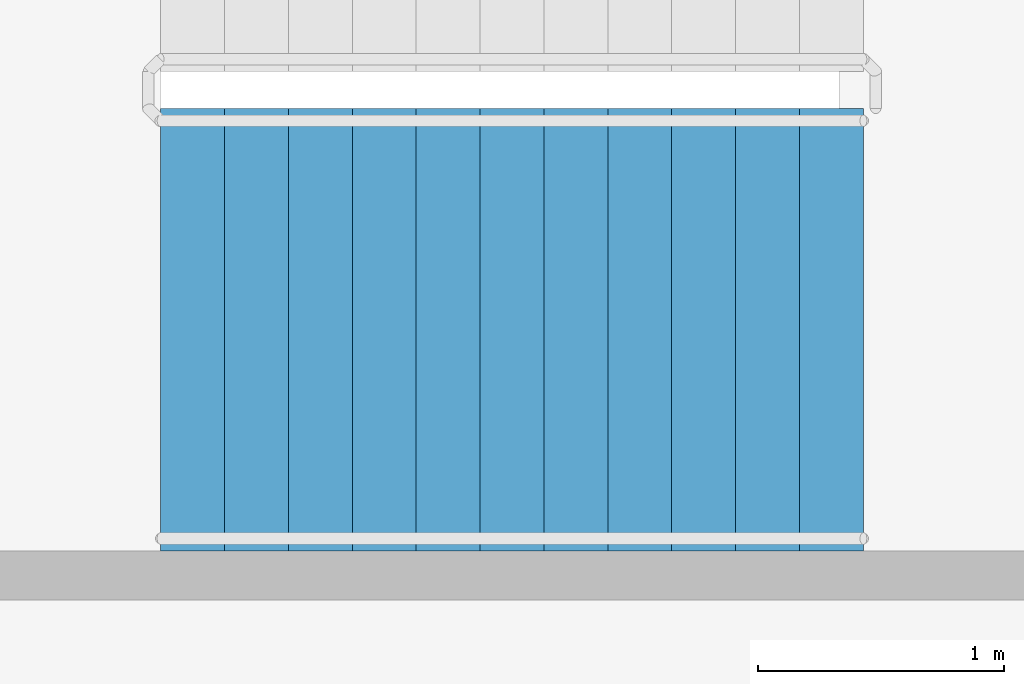
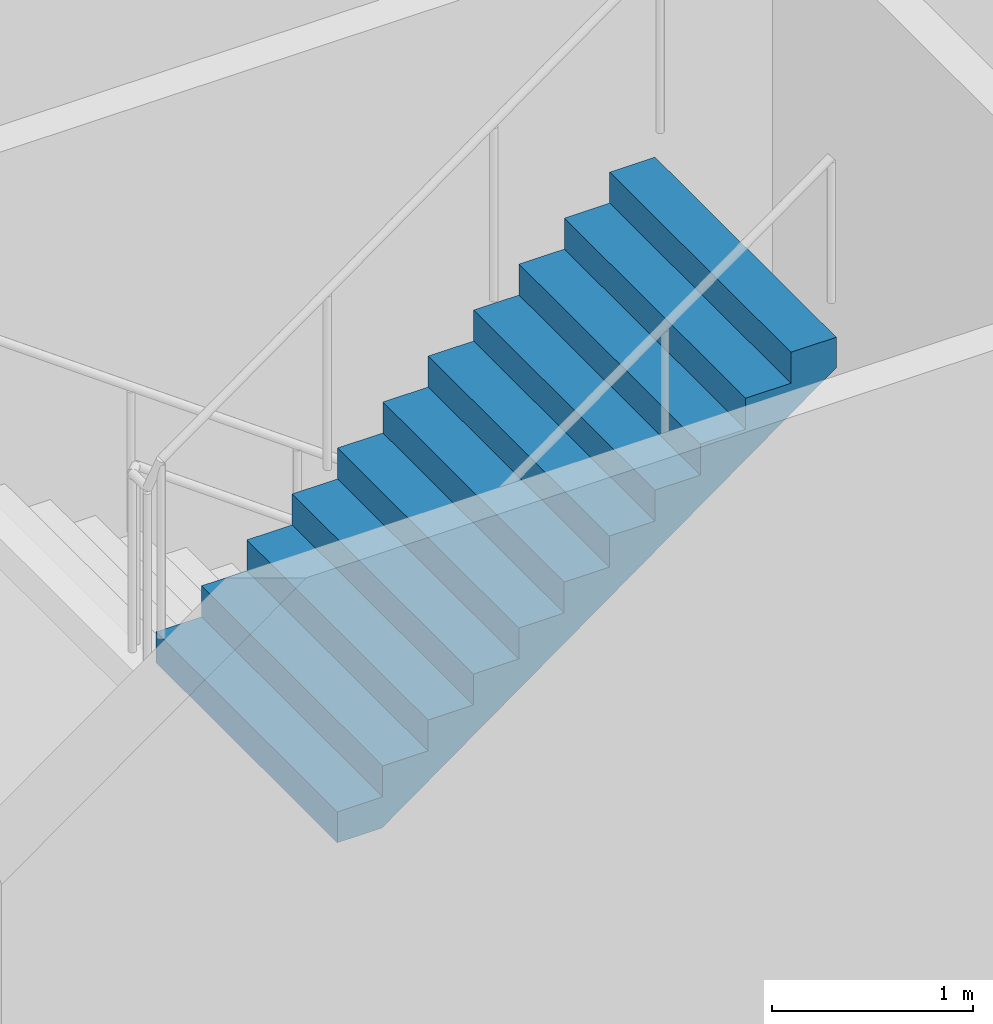
# One storey, part 38 of 49: 1 stair flight, 1 element without a shape of its own.
"""IFC4 building model written with IfcOpenShell, lengths in metres."""

from ifc_helpers import new_model, si_unit, direction, frame, origin, place, context, subcontext, project, spatial, faceted_brep, material, type_object, element, aggregate, save


model = new_model("IFC4")

# Units and contexts
model_context = context("Model", 3, precision=1e-05, world=origin(), true_north=direction((0.0, 1.0)))
body_context = subcontext(model_context, "Body", "Model", "MODEL_VIEW")
ifc_project = project(units=[si_unit("LENGTHUNIT", "METRE"), si_unit("AREAUNIT", "SQUARE_METRE"), si_unit("VOLUMEUNIT", "CUBIC_METRE"), si_unit("PLANEANGLEUNIT", "RADIAN"), si_unit("MASSUNIT", "GRAM", prefix="KILO")], contexts=[model_context])

# Site, building, storey
site_placement = place(None, origin())
site = spatial("IfcSite", under=ifc_project, at=site_placement, CompositionType="ELEMENT")
building_placement = place(site_placement, origin())
building = spatial("IfcBuilding", under=site, at=building_placement, Name="Ipe Terrace Towers", CompositionType="ELEMENT")
storey_placement = place(building_placement, frame((0.0, 0.0, 11.0)))
storey = spatial("IfcBuildingStorey", under=building, at=storey_placement, Name="L02", CompositionType="ELEMENT", Elevation=11.0)

# Stair, stair flight
ifc_material_1 = material(Name="Concrete C30/37", Category="concrete")
stair_type = type_object("IfcStairType", Name="Protected exit stair", PredefinedType="HALF_TURN_STAIR", material=ifc_material_1)
stair_placement = place(storey_placement, origin())
stair = element("IfcStair", 1, at=stair_placement, inside=storey, type_object=stair_type, Name="L02 Podium exit stair PS2", PredefinedType="HALF_TURN_STAIR")
ifc_material_2 = material(Name="Concrete C30/37", Category="concrete")
stair_flight_type = type_object("IfcStairFlightType", Name="Exit stair flight 1800", PredefinedType="STRAIGHT", material=ifc_material_2)
stair_flight_placement = place(storey_placement, frame((-3.610107421875, 23.550048828125, 2.25), z_axis=(0.0, 0.0, 1.0), x_axis=(1.0, 0.0, 0.0)))
stair_flight = element("IfcStairFlight", 2, at=stair_flight_placement, type_object=stair_flight_type, Name="PS2 flight 2", NumberOfRisers=12, NumberOfTreads=11, PredefinedType="STRAIGHT", RiserHeight=0.1875, TreadLength=0.26, context=body_context, shape_type="Brep", body=[
    faceted_brep([(0.25634765625, -0.89990234375, 0.0), (2.860107421875, -0.89990234375, 1.877685546875), (2.860107421875, -0.89990234375, 2.0625), (2.60009765625, -0.89990234375, 2.0625), (2.60009765625, -0.89990234375, 1.875), (2.340087890625, -0.89990234375, 1.875), (2.340087890625, -0.89990234375, 1.6875), (2.080078125, -0.89990234375, 1.6875), (2.080078125, -0.89990234375, 1.5), (1.820068359375, -0.89990234375, 1.5), (1.820068359375, -0.89990234375, 1.3125), (1.56005859375, -0.89990234375, 1.3125), (1.56005859375, -0.89990234375, 1.125), (1.300048828125, -0.89990234375, 1.125), (1.300048828125, -0.89990234375, 0.9375), (1.0400390625, -0.89990234375, 0.9375), (1.0400390625, -0.89990234375, 0.75), (0.780029296875, -0.89990234375, 0.75), (0.780029296875, -0.89990234375, 0.5625), (0.52001953125, -0.89990234375, 0.5625), (0.52001953125, -0.89990234375, 0.375), (0.260009765625, -0.89990234375, 0.375), (0.260009765625, -0.89990234375, 0.1875), (0.0, -0.89990234375, 0.1875), (0.0, -0.89990234375, 0.0), (0.0, 0.89990234375, 0.0), (0.0, 0.89990234375, 0.1875), (0.260009765625, 0.89990234375, 0.1875), (0.260009765625, 0.89990234375, 0.375), (0.52001953125, 0.89990234375, 0.375), (0.52001953125, 0.89990234375, 0.5625), (0.780029296875, 0.89990234375, 0.5625), (0.780029296875, 0.89990234375, 0.75), (1.0400390625, 0.89990234375, 0.75), (1.0400390625, 0.89990234375, 0.9375), (1.300048828125, 0.89990234375, 0.9375), (1.300048828125, 0.89990234375, 1.125), (1.56005859375, 0.89990234375, 1.125), (1.56005859375, 0.89990234375, 1.3125), (1.820068359375, 0.89990234375, 1.3125), (1.820068359375, 0.89990234375, 1.5), (2.080078125, 0.89990234375, 1.5), (2.080078125, 0.89990234375, 1.6875), (2.340087890625, 0.89990234375, 1.6875), (2.340087890625, 0.89990234375, 1.875), (2.60009765625, 0.89990234375, 1.875), (2.60009765625, 0.89990234375, 2.0625), (2.860107421875, 0.89990234375, 2.0625), (2.860107421875, 0.89990234375, 1.877685546875), (0.25634765625, 0.89990234375, 0.0), (0.0, -0.300048828125, 0.1875), (0.0, -0.1201171875, 0.1875), (0.0, -0.06005859375, 0.1875), (0.0, -0.030029296875, 0.1875), (0.0, -0.010009765625, 0.1875), (0.0, 0.0, 0.1875), (0.0, 0.010009765625, 0.1875), (0.0, 0.030029296875, 0.1875), (0.0, 0.06005859375, 0.1875), (0.0, 0.1201171875, 0.1875), (0.0, 0.300048828125, 0.1875), (0.0, 0.300048828125, 0.0), (0.0, 0.1201171875, 0.0), (0.0, 0.06005859375, 0.0), (0.0, 0.030029296875, 0.0), (0.0, 0.010009765625, 0.0), (0.0, 0.0, 0.0), (0.0, -0.010009765625, 0.0), (0.0, -0.030029296875, 0.0), (0.0, -0.06005859375, 0.0), (0.0, -0.1201171875, 0.0), (0.0, -0.300048828125, 0.0), (0.260009765625, -0.300048828125, 0.1875), (0.260009765625, -0.1201171875, 0.1875), (0.260009765625, -0.06005859375, 0.1875), (0.260009765625, -0.030029296875, 0.1875), (0.260009765625, -0.010009765625, 0.1875), (0.260009765625, 0.0, 0.1875), (0.260009765625, 0.010009765625, 0.1875), (0.260009765625, 0.030029296875, 0.1875), (0.260009765625, 0.06005859375, 0.1875), (0.260009765625, 0.1201171875, 0.1875), (0.260009765625, 0.300048828125, 0.1875), (0.260009765625, -0.300048828125, 0.375), (0.260009765625, -0.1201171875, 0.375), (0.260009765625, -0.06005859375, 0.375), (0.260009765625, -0.030029296875, 0.375), (0.260009765625, -0.010009765625, 0.375), (0.260009765625, 0.0, 0.375), (0.260009765625, 0.010009765625, 0.375), (0.260009765625, 0.030029296875, 0.375), (0.260009765625, 0.06005859375, 0.375), (0.260009765625, 0.1201171875, 0.375), (0.260009765625, 0.300048828125, 0.375), (0.52001953125, -0.300048828125, 0.375), (0.52001953125, -0.1201171875, 0.375), (0.52001953125, -0.06005859375, 0.375), (0.52001953125, -0.030029296875, 0.375), (0.52001953125, -0.010009765625, 0.375), (0.52001953125, 0.0, 0.375), (0.52001953125, 0.010009765625, 0.375), (0.52001953125, 0.030029296875, 0.375), (0.52001953125, 0.06005859375, 0.375), (0.52001953125, 0.1201171875, 0.375), (0.52001953125, 0.300048828125, 0.375), (0.52001953125, -0.300048828125, 0.5625), (0.52001953125, -0.1201171875, 0.5625), (0.52001953125, -0.06005859375, 0.5625), (0.52001953125, -0.030029296875, 0.5625), (0.52001953125, -0.010009765625, 0.5625), (0.52001953125, 0.0, 0.5625), (0.52001953125, 0.010009765625, 0.5625), (0.52001953125, 0.030029296875, 0.5625), (0.52001953125, 0.06005859375, 0.5625), (0.52001953125, 0.1201171875, 0.5625), (0.52001953125, 0.300048828125, 0.5625), (0.780029296875, -0.300048828125, 0.5625), (0.780029296875, -0.1201171875, 0.5625), (0.780029296875, -0.06005859375, 0.5625), (0.780029296875, -0.030029296875, 0.5625), (0.780029296875, -0.010009765625, 0.5625), (0.780029296875, 0.0, 0.5625), (0.780029296875, 0.010009765625, 0.5625), (0.780029296875, 0.030029296875, 0.5625), (0.780029296875, 0.06005859375, 0.5625), (0.780029296875, 0.1201171875, 0.5625), (0.780029296875, 0.300048828125, 0.5625), (0.780029296875, -0.300048828125, 0.75), (0.780029296875, -0.1201171875, 0.75), (0.780029296875, -0.06005859375, 0.75), (0.780029296875, -0.030029296875, 0.75), (0.780029296875, -0.010009765625, 0.75), (0.780029296875, 0.0, 0.75), (0.780029296875, 0.010009765625, 0.75), (0.780029296875, 0.030029296875, 0.75), (0.780029296875, 0.06005859375, 0.75), (0.780029296875, 0.1201171875, 0.75), (0.780029296875, 0.300048828125, 0.75), (1.0400390625, -0.300048828125, 0.75), (1.0400390625, -0.1201171875, 0.75), (1.0400390625, -0.06005859375, 0.75), (1.0400390625, -0.030029296875, 0.75), (1.0400390625, -0.010009765625, 0.75), (1.0400390625, 0.0, 0.75), (1.0400390625, 0.010009765625, 0.75), (1.0400390625, 0.030029296875, 0.75), (1.0400390625, 0.06005859375, 0.75), (1.0400390625, 0.1201171875, 0.75), (1.0400390625, 0.300048828125, 0.75), (1.0400390625, -0.300048828125, 0.9375), (1.0400390625, -0.1201171875, 0.9375), (1.0400390625, -0.06005859375, 0.9375), (1.0400390625, -0.030029296875, 0.9375), (1.0400390625, -0.010009765625, 0.9375), (1.0400390625, 0.0, 0.9375), (1.0400390625, 0.010009765625, 0.9375), (1.0400390625, 0.030029296875, 0.9375), (1.0400390625, 0.06005859375, 0.9375), (1.0400390625, 0.1201171875, 0.9375), (1.0400390625, 0.300048828125, 0.9375), (1.300048828125, -0.300048828125, 0.9375), (1.300048828125, -0.1201171875, 0.9375), (1.300048828125, -0.06005859375, 0.9375), (1.300048828125, -0.030029296875, 0.9375), (1.300048828125, -0.010009765625, 0.9375), (1.300048828125, 0.0, 0.9375), (1.300048828125, 0.010009765625, 0.9375), (1.300048828125, 0.030029296875, 0.9375), (1.300048828125, 0.06005859375, 0.9375), (1.300048828125, 0.1201171875, 0.9375), (1.300048828125, 0.300048828125, 0.9375), (1.300048828125, -0.300048828125, 1.125), (1.300048828125, -0.1201171875, 1.125), (1.300048828125, -0.06005859375, 1.125), (1.300048828125, -0.030029296875, 1.125), (1.300048828125, -0.010009765625, 1.125), (1.300048828125, 0.0, 1.125), (1.300048828125, 0.010009765625, 1.125), (1.300048828125, 0.030029296875, 1.125), (1.300048828125, 0.06005859375, 1.125), (1.300048828125, 0.1201171875, 1.125), (1.300048828125, 0.300048828125, 1.125), (1.56005859375, -0.300048828125, 1.125), (1.56005859375, -0.1201171875, 1.125), (1.56005859375, -0.06005859375, 1.125), (1.56005859375, -0.030029296875, 1.125), (1.56005859375, -0.010009765625, 1.125), (1.56005859375, 0.0, 1.125), (1.56005859375, 0.010009765625, 1.125), (1.56005859375, 0.030029296875, 1.125), (1.56005859375, 0.06005859375, 1.125), (1.56005859375, 0.1201171875, 1.125), (1.56005859375, 0.300048828125, 1.125), (1.56005859375, -0.300048828125, 1.3125), (1.56005859375, -0.1201171875, 1.3125), (1.56005859375, -0.06005859375, 1.3125), (1.56005859375, -0.030029296875, 1.3125), (1.56005859375, -0.010009765625, 1.3125), (1.56005859375, 0.0, 1.3125), (1.56005859375, 0.010009765625, 1.3125), (1.56005859375, 0.030029296875, 1.3125), (1.56005859375, 0.06005859375, 1.3125), (1.56005859375, 0.1201171875, 1.3125), (1.56005859375, 0.300048828125, 1.3125), (1.820068359375, -0.300048828125, 1.3125), (1.820068359375, -0.1201171875, 1.3125), (1.820068359375, -0.06005859375, 1.3125), (1.820068359375, -0.030029296875, 1.3125), (1.820068359375, -0.010009765625, 1.3125), (1.820068359375, 0.0, 1.3125), (1.820068359375, 0.010009765625, 1.3125), (1.820068359375, 0.030029296875, 1.3125), (1.820068359375, 0.06005859375, 1.3125), (1.820068359375, 0.1201171875, 1.3125), (1.820068359375, 0.300048828125, 1.3125), (1.820068359375, -0.300048828125, 1.5), (1.820068359375, -0.1201171875, 1.5), (1.820068359375, -0.06005859375, 1.5), (1.820068359375, -0.030029296875, 1.5), (1.820068359375, -0.010009765625, 1.5), (1.820068359375, 0.0, 1.5), (1.820068359375, 0.010009765625, 1.5), (1.820068359375, 0.030029296875, 1.5), (1.820068359375, 0.06005859375, 1.5), (1.820068359375, 0.1201171875, 1.5), (1.820068359375, 0.300048828125, 1.5), (2.080078125, -0.300048828125, 1.5), (2.080078125, -0.1201171875, 1.5), (2.080078125, -0.06005859375, 1.5), (2.080078125, -0.030029296875, 1.5), (2.080078125, -0.010009765625, 1.5), (2.080078125, 0.0, 1.5), (2.080078125, 0.010009765625, 1.5), (2.080078125, 0.030029296875, 1.5), (2.080078125, 0.06005859375, 1.5), (2.080078125, 0.1201171875, 1.5), (2.080078125, 0.300048828125, 1.5), (2.080078125, -0.300048828125, 1.6875), (2.080078125, -0.1201171875, 1.6875), (2.080078125, -0.06005859375, 1.6875), (2.080078125, -0.030029296875, 1.6875), (2.080078125, -0.010009765625, 1.6875), (2.080078125, 0.0, 1.6875), (2.080078125, 0.010009765625, 1.6875), (2.080078125, 0.030029296875, 1.6875), (2.080078125, 0.06005859375, 1.6875), (2.080078125, 0.1201171875, 1.6875), (2.080078125, 0.300048828125, 1.6875), (2.340087890625, -0.300048828125, 1.6875), (2.340087890625, -0.1201171875, 1.6875), (2.340087890625, -0.06005859375, 1.6875), (2.340087890625, -0.030029296875, 1.6875), (2.340087890625, -0.010009765625, 1.6875), (2.340087890625, 0.0, 1.6875), (2.340087890625, 0.010009765625, 1.6875), (2.340087890625, 0.030029296875, 1.6875), (2.340087890625, 0.06005859375, 1.6875), (2.340087890625, 0.1201171875, 1.6875), (2.340087890625, 0.300048828125, 1.6875), (2.340087890625, -0.300048828125, 1.875), (2.340087890625, -0.1201171875, 1.875), (2.340087890625, -0.06005859375, 1.875), (2.340087890625, -0.030029296875, 1.875), (2.340087890625, -0.010009765625, 1.875), (2.340087890625, 0.0, 1.875), (2.340087890625, 0.010009765625, 1.875), (2.340087890625, 0.030029296875, 1.875), (2.340087890625, 0.06005859375, 1.875), (2.340087890625, 0.1201171875, 1.875), (2.340087890625, 0.300048828125, 1.875), (2.60009765625, -0.300048828125, 1.875), (2.60009765625, -0.1201171875, 1.875), (2.60009765625, -0.06005859375, 1.875), (2.60009765625, -0.030029296875, 1.875), (2.60009765625, -0.010009765625, 1.875), (2.60009765625, 0.0, 1.875), (2.60009765625, 0.010009765625, 1.875), (2.60009765625, 0.030029296875, 1.875), (2.60009765625, 0.06005859375, 1.875), (2.60009765625, 0.1201171875, 1.875), (2.60009765625, 0.300048828125, 1.875), (2.60009765625, -0.300048828125, 2.0625), (2.60009765625, -0.1201171875, 2.0625), (2.60009765625, -0.06005859375, 2.0625), (2.60009765625, -0.030029296875, 2.0625), (2.60009765625, -0.010009765625, 2.0625), (2.60009765625, 0.0, 2.0625), (2.60009765625, 0.010009765625, 2.0625), (2.60009765625, 0.030029296875, 2.0625), (2.60009765625, 0.06005859375, 2.0625), (2.60009765625, 0.1201171875, 2.0625), (2.60009765625, 0.300048828125, 2.0625), (2.860107421875, -0.300048828125, 2.0625), (2.860107421875, -0.1201171875, 2.0625), (2.860107421875, -0.06005859375, 2.0625), (2.860107421875, -0.030029296875, 2.0625), (2.860107421875, -0.010009765625, 2.0625), (2.860107421875, 0.0, 2.0625), (2.860107421875, 0.010009765625, 2.0625), (2.860107421875, 0.030029296875, 2.0625), (2.860107421875, 0.06005859375, 2.0625), (2.860107421875, 0.1201171875, 2.0625), (2.860107421875, 0.300048828125, 2.0625), (2.860107421875, -0.300048828125, 1.877685546875), (2.860107421875, -0.1201171875, 1.877685546875), (2.860107421875, -0.06005859375, 1.877685546875), (2.860107421875, -0.030029296875, 1.877685546875), (2.860107421875, -0.010009765625, 1.877685546875), (2.860107421875, 0.0, 1.877685546875), (2.860107421875, 0.010009765625, 1.877685546875), (2.860107421875, 0.030029296875, 1.877685546875), (2.860107421875, 0.06005859375, 1.877685546875), (2.860107421875, 0.1201171875, 1.877685546875), (2.860107421875, 0.300048828125, 1.877685546875), (0.25634765625, -0.300048828125, 0.0), (0.25634765625, -0.1201171875, 0.0), (0.25634765625, -0.06005859375, 0.0), (0.25634765625, -0.030029296875, 0.0), (0.25634765625, -0.010009765625, 0.0), (0.25634765625, 0.0, 0.0), (0.25634765625, 0.010009765625, 0.0), (0.25634765625, 0.030029296875, 0.0), (0.25634765625, 0.06005859375, 0.0), (0.25634765625, 0.1201171875, 0.0), (0.25634765625, 0.300048828125, 0.0)], [[[0, 1, 2, 3, 4, 5, 6, 7, 8, 9, 10, 11, 12, 13, 14, 15, 16, 17, 18, 19, 20, 21, 22, 23, 24]], [[25, 26, 27, 28, 29, 30, 31, 32, 33, 34, 35, 36, 37, 38, 39, 40, 41, 42, 43, 44, 45, 46, 47, 48, 49]], [[23, 50, 51, 52, 53, 54, 55, 56, 57, 58, 59, 60, 26, 25, 61, 62, 63, 64, 65, 66, 67, 68, 69, 70, 71, 24]], [[22, 72, 73, 74, 75, 76, 77, 78, 79, 80, 81, 82, 27, 26, 60, 59, 58, 57, 56, 55, 54, 53, 52, 51, 50, 23]], [[21, 83, 84, 85, 86, 87, 88, 89, 90, 91, 92, 93, 28, 27, 82, 81, 80, 79, 78, 77, 76, 75, 74, 73, 72, 22]], [[20, 94, 95, 96, 97, 98, 99, 100, 101, 102, 103, 104, 29, 28, 93, 92, 91, 90, 89, 88, 87, 86, 85, 84, 83, 21]], [[19, 105, 106, 107, 108, 109, 110, 111, 112, 113, 114, 115, 30, 29, 104, 103, 102, 101, 100, 99, 98, 97, 96, 95, 94, 20]], [[18, 116, 117, 118, 119, 120, 121, 122, 123, 124, 125, 126, 31, 30, 115, 114, 113, 112, 111, 110, 109, 108, 107, 106, 105, 19]], [[17, 127, 128, 129, 130, 131, 132, 133, 134, 135, 136, 137, 32, 31, 126, 125, 124, 123, 122, 121, 120, 119, 118, 117, 116, 18]], [[16, 138, 139, 140, 141, 142, 143, 144, 145, 146, 147, 148, 33, 32, 137, 136, 135, 134, 133, 132, 131, 130, 129, 128, 127, 17]], [[15, 149, 150, 151, 152, 153, 154, 155, 156, 157, 158, 159, 34, 33, 148, 147, 146, 145, 144, 143, 142, 141, 140, 139, 138, 16]], [[14, 160, 161, 162, 163, 164, 165, 166, 167, 168, 169, 170, 35, 34, 159, 158, 157, 156, 155, 154, 153, 152, 151, 150, 149, 15]], [[13, 171, 172, 173, 174, 175, 176, 177, 178, 179, 180, 181, 36, 35, 170, 169, 168, 167, 166, 165, 164, 163, 162, 161, 160, 14]], [[12, 182, 183, 184, 185, 186, 187, 188, 189, 190, 191, 192, 37, 36, 181, 180, 179, 178, 177, 176, 175, 174, 173, 172, 171, 13]], [[11, 193, 194, 195, 196, 197, 198, 199, 200, 201, 202, 203, 38, 37, 192, 191, 190, 189, 188, 187, 186, 185, 184, 183, 182, 12]], [[10, 204, 205, 206, 207, 208, 209, 210, 211, 212, 213, 214, 39, 38, 203, 202, 201, 200, 199, 198, 197, 196, 195, 194, 193, 11]], [[9, 215, 216, 217, 218, 219, 220, 221, 222, 223, 224, 225, 40, 39, 214, 213, 212, 211, 210, 209, 208, 207, 206, 205, 204, 10]], [[8, 226, 227, 228, 229, 230, 231, 232, 233, 234, 235, 236, 41, 40, 225, 224, 223, 222, 221, 220, 219, 218, 217, 216, 215, 9]], [[7, 237, 238, 239, 240, 241, 242, 243, 244, 245, 246, 247, 42, 41, 236, 235, 234, 233, 232, 231, 230, 229, 228, 227, 226, 8]], [[6, 248, 249, 250, 251, 252, 253, 254, 255, 256, 257, 258, 43, 42, 247, 246, 245, 244, 243, 242, 241, 240, 239, 238, 237, 7]], [[5, 259, 260, 261, 262, 263, 264, 265, 266, 267, 268, 269, 44, 43, 258, 257, 256, 255, 254, 253, 252, 251, 250, 249, 248, 6]], [[4, 270, 271, 272, 273, 274, 275, 276, 277, 278, 279, 280, 45, 44, 269, 268, 267, 266, 265, 264, 263, 262, 261, 260, 259, 5]], [[3, 281, 282, 283, 284, 285, 286, 287, 288, 289, 290, 291, 46, 45, 280, 279, 278, 277, 276, 275, 274, 273, 272, 271, 270, 4]], [[2, 292, 293, 294, 295, 296, 297, 298, 299, 300, 301, 302, 47, 46, 291, 290, 289, 288, 287, 286, 285, 284, 283, 282, 281, 3]], [[1, 303, 304, 305, 306, 307, 308, 309, 310, 311, 312, 313, 48, 47, 302, 301, 300, 299, 298, 297, 296, 295, 294, 293, 292, 2]], [[0, 314, 315, 316, 317, 318, 319, 320, 321, 322, 323, 324, 49, 48, 313, 312, 311, 310, 309, 308, 307, 306, 305, 304, 303, 1]], [[24, 71, 70, 69, 68, 67, 66, 65, 64, 63, 62, 61, 25, 49, 324, 323, 322, 321, 320, 319, 318, 317, 316, 315, 314, 0]]]),
])
aggregate(stair, [stair_flight])

save(model, "model.ifc")
